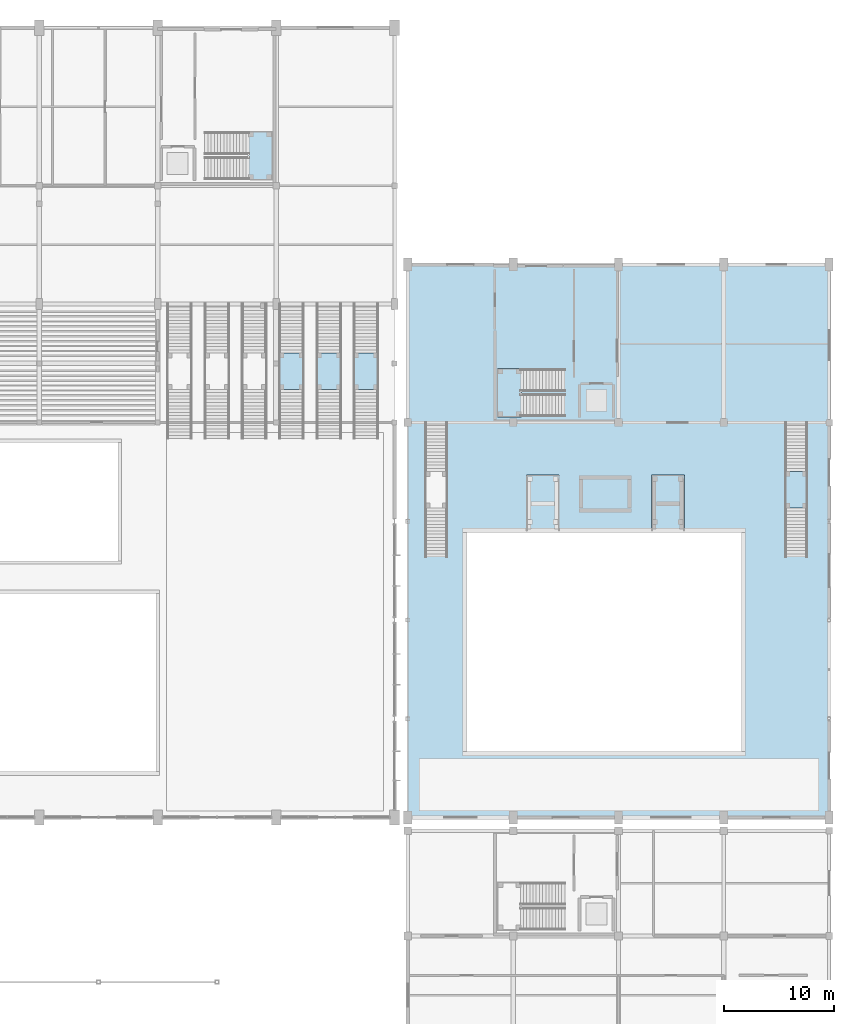
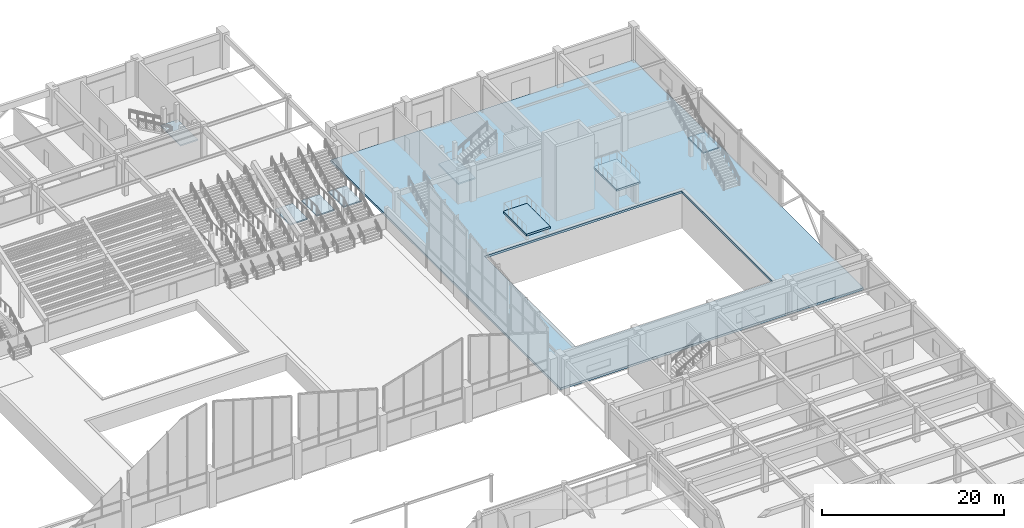
# One storey, part 45 of 82: 9 slabs, 6 elements without a shape of their own.
"""IFC4 building model written with IfcOpenShell, lengths in metres."""

from ifc_helpers import new_model, si_unit, direction, frame, origin, place, context, subcontext, project, spatial, polyline, outline, extrude, material, layer, layer_set, type_object, element, aggregate, save


model = new_model("IFC4")

# Units and contexts
model_context = context("Model", 3, precision=1e-05, world=origin(), true_north=direction((0.0, 1.0)))
body_context = subcontext(model_context, "Body", "Model", "MODEL_VIEW")
ifc_project = project(units=[si_unit("LENGTHUNIT", "METRE"), si_unit("AREAUNIT", "SQUARE_METRE"), si_unit("VOLUMEUNIT", "CUBIC_METRE"), si_unit("PLANEANGLEUNIT", "RADIAN"), si_unit("MASSUNIT", "GRAM", prefix="KILO")], contexts=[model_context])

# Site, building, storey
site_placement = place(None, origin())
site = spatial("IfcSite", under=ifc_project, at=site_placement, CompositionType="ELEMENT")
building_placement = place(site_placement, origin())
building = spatial("IfcBuilding", under=site, at=building_placement, Name="Suirenkawa Promenade Aquatics Centre", CompositionType="ELEMENT")
storey_placement = place(building_placement, origin())
storey = spatial("IfcBuildingStorey", under=building, at=storey_placement, Name="L00", CompositionType="ELEMENT", Elevation=0.0)

# Slabs
ifc_material = material(Name="Concrete M40", Category="concrete")
ifc_layer_1 = layer(ifc_material, 0.300048828125, Name="Concrete M40", Category="concrete")
ifc_layer_set_1 = layer_set([ifc_layer_1], Name="Concrete M40")
slab_type_1 = type_object("IfcSlabType", Name="SLT-DECK-300", PredefinedType="FLOOR", material=ifc_layer_set_1)
slab_1_placement = place(storey_placement, frame((0.0, 0.0, -0.300048828125)))
element("IfcSlab", 1, at=slab_1_placement, inside=storey, type_object=slab_type_1, Name="V2 diving surround deck SL-FLR-02 SL-0041", PredefinedType="FLOOR", context=body_context, shape_type="SweptSolid", body=[
    extrude(outline(polyline([(156.0, 50.39990234375), (194.39990234375, 50.39990234375), (194.39990234375, 100.800048828125), (156.0, 100.800048828125), (156.0, 50.39990234375)]), holes=[polyline([(161.39990234375, 56.39990234375), (186.39990234375, 56.39990234375), (186.39990234375, 76.39990234375), (161.39990234375, 76.39990234375), (161.39990234375, 56.39990234375)])]), origin(), (0.0, 0.0, 1.0), 0.300048828125),
])
ifc_layer_2 = layer(ifc_material, 0.27001953125, Name="Concrete M40", Category="concrete")
ifc_layer_set_2 = layer_set([ifc_layer_2], Name="Concrete M40")
slab_type_2 = type_object("IfcSlabType", Name="SLT-DIVE-PLAT-270", PredefinedType="FLOOR", material=ifc_layer_set_2)
slab_2_placement = place(storey_placement, frame((0.0, 0.0, 0.72998046875)))
element("IfcSlab", 2, at=slab_2_placement, inside=storey, type_object=slab_type_2, Name="Diving platform 1m SL-FLR-06 SL-0045", PredefinedType="FLOOR", context=body_context, shape_type="SweptSolid", body=[
    extrude(outline(polyline([(166.800048828125, 76.5), (169.800048828125, 76.5), (169.800048828125, 81.60009765625), (166.800048828125, 81.60009765625), (166.800048828125, 76.5)])), origin(), (0.0, 0.0, 1.0), 0.27001953125),
])
slab_3_placement = place(storey_placement, frame((0.0, 0.0, 2.72998046875)))
element("IfcSlab", 3, at=slab_3_placement, inside=storey, type_object=slab_type_2, Name="Diving platform 3m SL-FLR-06 SL-0046", PredefinedType="FLOOR", context=body_context, shape_type="SweptSolid", body=[
    extrude(outline(polyline([(178.199951171875, 76.5), (181.199951171875, 76.5), (181.199951171875, 81.60009765625), (178.199951171875, 81.60009765625), (178.199951171875, 76.5)])), origin(), (0.0, 0.0, 1.0), 0.27001953125),
])

# Stair, slab
stair_type_1 = type_object("IfcStairType", Name="STT-CORE-2100-480", PredefinedType="TWO_STRAIGHT_RUN_STAIR", material=ifc_material)
stair_1_placement = place(storey_placement, origin())
stair_1 = element("IfcStair", 4, at=stair_1_placement, inside=storey, type_object=stair_type_1, Name="Protected exit stair STR-01 ST-14", PredefinedType="TWO_STRAIGHT_RUN_STAIR")
ifc_layer_3 = layer(ifc_material, 0.169921875, Name="Concrete M40", Category="concrete")
ifc_layer_set_3 = layer_set([ifc_layer_3], Name="Concrete M40")
slab_type_3 = type_object("IfcSlabType", Name="SLT-LANDING-170", PredefinedType="LANDING", material=ifc_layer_set_3)
slab_4_placement = place(storey_placement, frame((0.0, 0.0, 2.219970703125)))
slab_4 = element("IfcSlab", 5, at=slab_4_placement, type_object=slab_type_3, Name="Stair landing SL-LND-01 SL-8014", PredefinedType="LANDING", context=body_context, shape_type="SweptSolid", body=[
    extrude(outline(polyline([(141.449951171875, 108.52001953125), (143.639892578125, 108.52001953125), (143.639892578125, 112.909912109375), (141.449951171875, 112.909912109375), (141.449951171875, 108.52001953125)])), origin(), (0.0, 0.0, 1.0), 0.179931640625),
])
aggregate(stair_1, [slab_4])

stair_2_placement = place(storey_placement, origin())
stair_2 = element("IfcStair", 6, at=stair_2_placement, inside=storey, type_object=stair_type_1, Name="Protected exit stair STR-01 ST-16", PredefinedType="TWO_STRAIGHT_RUN_STAIR")
slab_5_placement = place(storey_placement, frame((0.0, 0.0, 2.219970703125)))
slab_5 = element("IfcSlab", 7, at=slab_5_placement, type_object=slab_type_3, Name="Stair landing SL-LND-01 SL-8016", PredefinedType="LANDING", context=body_context, shape_type="SweptSolid", body=[
    extrude(outline(polyline([(164.159912109375, 86.919921875), (166.35009765625, 86.919921875), (166.35009765625, 91.31005859375), (164.159912109375, 91.31005859375), (164.159912109375, 86.919921875)])), origin(), (0.0, 0.0, 1.0), 0.179931640625),
])
aggregate(stair_2, [slab_5])

stair_type_2 = type_object("IfcStairType", Name="STT-CASCADE-3200", PredefinedType="STRAIGHT_RUN_STAIR", material=ifc_material)
stair_3_placement = place(storey_placement, origin())
stair_3 = element("IfcStair", 8, at=stair_3_placement, inside=storey, type_object=stair_type_2, Name="Grand assembly cascade stair STR-04 ST-29", PredefinedType="STRAIGHT_RUN_STAIR")
slab_6_placement = place(storey_placement, frame((0.0, 0.0, 2.219970703125)))
slab_6 = element("IfcSlab", 9, at=slab_6_placement, type_object=slab_type_3, Name="Cascade landing SL-LND-01 SL-8029", PredefinedType="LANDING", context=body_context, shape_type="SweptSolid", body=[
    extrude(outline(polyline([(144.27490234375, 89.405029296875), (146.52490234375, 89.405029296875), (146.52490234375, 92.7451171875), (144.27490234375, 92.7451171875), (144.27490234375, 89.405029296875)])), origin(), (0.0, 0.0, 1.0), 0.179931640625),
])
aggregate(stair_3, [slab_6])

stair_4_placement = place(storey_placement, origin())
stair_4 = element("IfcStair", 10, at=stair_4_placement, inside=storey, type_object=stair_type_2, Name="Grand assembly cascade stair STR-04 ST-30", PredefinedType="STRAIGHT_RUN_STAIR")
slab_7_placement = place(storey_placement, frame((0.0, 0.0, 2.219970703125)))
slab_7 = element("IfcSlab", 11, at=slab_7_placement, type_object=slab_type_3, Name="Cascade landing SL-LND-01 SL-8030", PredefinedType="LANDING", context=body_context, shape_type="SweptSolid", body=[
    extrude(outline(polyline([(147.675048828125, 89.405029296875), (149.925048828125, 89.405029296875), (149.925048828125, 92.7451171875), (147.675048828125, 92.7451171875), (147.675048828125, 89.405029296875)])), origin(), (0.0, 0.0, 1.0), 0.179931640625),
])
aggregate(stair_4, [slab_7])

stair_5_placement = place(storey_placement, origin())
stair_5 = element("IfcStair", 12, at=stair_5_placement, inside=storey, type_object=stair_type_2, Name="Grand assembly cascade stair STR-04 ST-31", PredefinedType="STRAIGHT_RUN_STAIR")
slab_8_placement = place(storey_placement, frame((0.0, 0.0, 2.219970703125)))
slab_8 = element("IfcSlab", 13, at=slab_8_placement, type_object=slab_type_3, Name="Cascade landing SL-LND-01 SL-8031", PredefinedType="LANDING", context=body_context, shape_type="SweptSolid", body=[
    extrude(outline(polyline([(151.074951171875, 89.405029296875), (153.324951171875, 89.405029296875), (153.324951171875, 92.7451171875), (151.074951171875, 92.7451171875), (151.074951171875, 89.405029296875)])), origin(), (0.0, 0.0, 1.0), 0.179931640625),
])
aggregate(stair_5, [slab_8])

stair_type_3 = type_object("IfcStairType", Name="STT-DIVE-2000", PredefinedType="STRAIGHT_RUN_STAIR", material=ifc_material)
stair_6_placement = place(storey_placement, origin())
stair_6 = element("IfcStair", 14, at=stair_6_placement, inside=storey, type_object=stair_type_3, Name="Grand assembly cascade stair STR-06 ST-35", PredefinedType="STRAIGHT_RUN_STAIR")
slab_9_placement = place(storey_placement, frame((0.0, 0.0, 2.219970703125)))
slab_9 = element("IfcSlab", 15, at=slab_9_placement, type_object=slab_type_3, Name="Cascade landing SL-LND-01 SL-8035", PredefinedType="LANDING", context=body_context, shape_type="SweptSolid", body=[
    extrude(outline(polyline([(190.389892578125, 78.60498046875), (192.409912109375, 78.60498046875), (192.409912109375, 81.945068359375), (190.389892578125, 81.945068359375), (190.389892578125, 78.60498046875)])), origin(), (0.0, 0.0, 1.0), 0.179931640625),
])
aggregate(stair_6, [slab_9])

save(model, "model.ifc")
